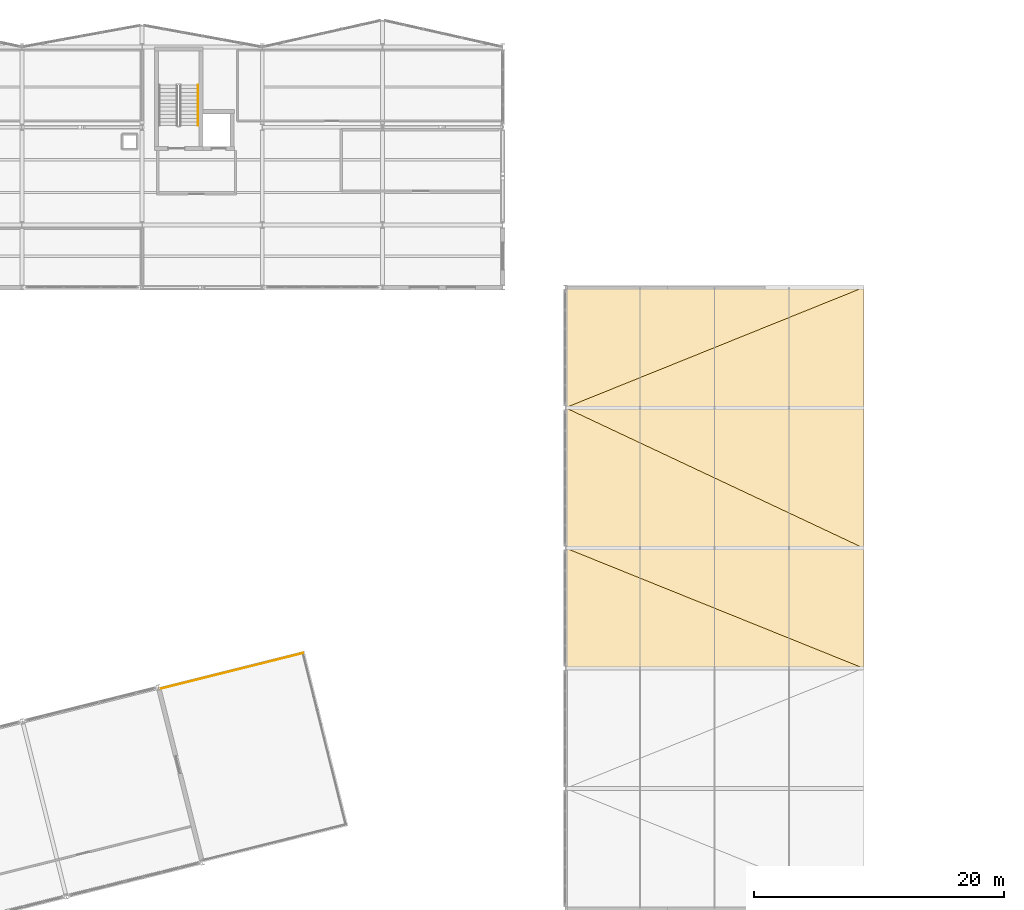
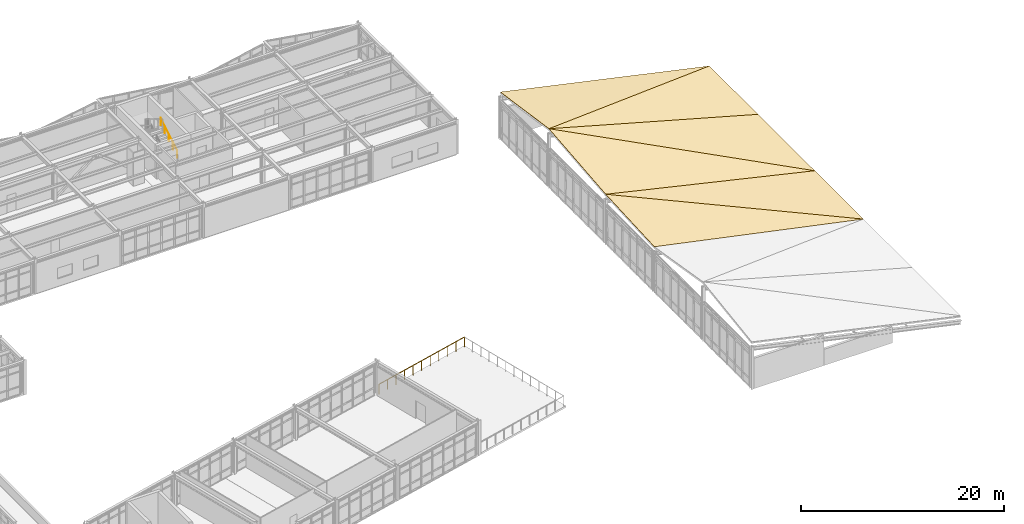
# One storey, part 64 of 64: 6 coverings, 2 railings.
"""IFC4 building model written with IfcOpenShell, lengths in metres."""

from ifc_helpers import new_model, si_unit, direction, frame, origin, origin_2d, place, context, subcontext, project, spatial, polyline, circle, outline, extrude, material, layer, layer_set, type_object, element, save


model = new_model("IFC4")

# Units and contexts
model_context = context("Model", 3, precision=1e-05, world=origin(), true_north=direction((0.0, 1.0)))
body_context = subcontext(model_context, "Body", "Model", "MODEL_VIEW")
ifc_project = project(units=[si_unit("LENGTHUNIT", "METRE"), si_unit("AREAUNIT", "SQUARE_METRE"), si_unit("VOLUMEUNIT", "CUBIC_METRE"), si_unit("PLANEANGLEUNIT", "RADIAN"), si_unit("MASSUNIT", "GRAM", prefix="KILO")], contexts=[model_context])

# Site, building, storey
site_placement = place(None, origin())
site = spatial("IfcSite", under=ifc_project, at=site_placement, CompositionType="ELEMENT")
building_placement = place(site_placement, origin())
building = spatial("IfcBuilding", under=site, at=building_placement, Name="Nordkorset Police Headquarters", CompositionType="ELEMENT")
storey_placement = place(building_placement, frame((0.0, 0.0, 17.85009765625)))
storey = spatial("IfcBuildingStorey", under=building, at=storey_placement, Name="L04", CompositionType="ELEMENT", Elevation=17.85009765625)

# Railings
ifc_material_1 = material(Name="Steel S355J2", Category="steel")
ifc_layer_1 = layer(ifc_material_1, 0.06005859375, Name="Steel S355J2")
ifc_layer_set_1 = layer_set([ifc_layer_1], Name="Steel S355J2")
railing_type_1 = type_object("IfcRailingType", Name="Guardrail_Terrace_1200", PredefinedType="GUARDRAIL", material=ifc_layer_set_1)
railing_1_placement = place(storey_placement, frame((70.44580078125, 68.39990234375, 0.0)))
element("IfcRailing", 1, at=railing_1_placement, inside=storey, type_object=railing_type_1, Name="Terrace Perimeter Guardrail TER-V4-L04-3", PredefinedType="GUARDRAIL", context=body_context, shape_type="SweptSolid", body=[
    extrude(circle(Radius=0.02392578125, at=origin_2d()), frame((0.0, 0.0, 1.17578125), z_axis=(-0.970143727571, -0.242530715281, 0.0), x_axis=(0.242530715281, -0.970143727571, 0.0)), (0.0, 0.0, 1.0), 11.7001953125),
    extrude(circle(Radius=0.02099609375, at=origin_2d()), origin(), (0.0, 0.0, 1.0), 1.15185546875),
    extrude(circle(Radius=0.02099609375, at=origin_2d()), frame((-1.135009765625, -0.28369140625, 0.0)), (0.0, 0.0, 1.0), 1.15185546875),
    extrude(circle(Radius=0.02099609375, at=origin_2d()), frame((-2.270263671875, -0.567626953125, 0.0)), (0.0, 0.0, 1.0), 1.15185546875),
    extrude(circle(Radius=0.02099609375, at=origin_2d()), frame((-3.4052734375, -0.851318359375, 0.0)), (0.0, 0.0, 1.0), 1.15185546875),
    extrude(circle(Radius=0.02099609375, at=origin_2d()), frame((-4.540283203125, -1.135009765625, 0.0)), (0.0, 0.0, 1.0), 1.15185546875),
    extrude(circle(Radius=0.02099609375, at=origin_2d()), frame((-5.67529296875, -1.4189453125, 0.0)), (0.0, 0.0, 1.0), 1.15185546875),
    extrude(circle(Radius=0.02099609375, at=origin_2d()), frame((-6.810546875, -1.70263671875, 0.0)), (0.0, 0.0, 1.0), 1.15185546875),
    extrude(circle(Radius=0.02099609375, at=origin_2d()), frame((-7.945556640625, -1.986328125, 0.0)), (0.0, 0.0, 1.0), 1.15185546875),
    extrude(circle(Radius=0.02099609375, at=origin_2d()), frame((-9.08056640625, -2.27001953125, 0.0)), (0.0, 0.0, 1.0), 1.15185546875),
    extrude(circle(Radius=0.02099609375, at=origin_2d()), frame((-10.2158203125, -2.553955078125, 0.0)), (0.0, 0.0, 1.0), 1.15185546875),
    extrude(circle(Radius=0.02099609375, at=origin_2d()), frame((-11.350830078125, -2.837646484375, 0.0)), (0.0, 0.0, 1.0), 1.15185546875),
])
ifc_material_2 = material(Name="Steel S355J2", Category="steel")
ifc_layer_2 = layer(ifc_material_2, 0.048095703125, Name="Steel S355J2")
ifc_layer_set_2 = layer_set([ifc_layer_2], Name="Steel S355J2")
railing_type_2 = type_object("IfcRailingType", Name="Railing_Handrail_900", PredefinedType="HANDRAIL", material=ifc_layer_set_2)
railing_2_placement = place(storey_placement, frame((62.074951171875, 110.52490234375, 0.1748046875)))
element("IfcRailing", 2, at=railing_2_placement, inside=storey, type_object=railing_type_2, Name="L04 ST-02 stair handrail 1", PredefinedType="HANDRAIL", context=body_context, shape_type="SweptSolid", body=[
    extrude(circle(Radius=0.02392578125, at=origin_2d()), frame((0.0, 0.0, 0.8759765625), z_axis=(0.0, 0.860057060016, 0.510197857224), x_axis=(-1.0, 0.0, 0.0)), (0.0, 0.0, 1.0), 3.773193359375),
    extrude(circle(Radius=0.02099609375, at=origin_2d()), origin(), (0.0, 0.0, 1.0), 0.851806640625),
    extrude(circle(Radius=0.02099609375, at=origin_2d()), frame((0.0, 0.811279296875, 0.481201171875)), (0.0, 0.0, 1.0), 0.851806640625),
    extrude(circle(Radius=0.02099609375, at=origin_2d()), frame((0.0, 1.62255859375, 0.96240234375)), (0.0, 0.0, 1.0), 0.851806640625),
    extrude(circle(Radius=0.02099609375, at=origin_2d()), frame((0.0, 2.433837890625, 1.44384765625)), (0.0, 0.0, 1.0), 0.851806640625),
    extrude(circle(Radius=0.02099609375, at=origin_2d()), frame((0.0, 3.2451171875, 1.925048828125)), (0.0, 0.0, 1.0), 0.851806640625),
])

# Coverings
ifc_material_3 = material(Name="Patinated Nordic zinc")
ifc_layer_3 = layer(ifc_material_3, 0.0400390625, Name="Patinated Nordic zinc")
ifc_layer_set_3 = layer_set([ifc_layer_3], Name="Patinated Nordic zinc")
covering_type = type_object("IfcCoveringType", Name="Roofing_StandingSeam_Zinc", PredefinedType="ROOFING", material=ifc_layer_set_3)
covering_1_placement = place(storey_placement, frame((91.39990234375, 67.199951171875, 5.429931640625), z_axis=(0.205329049476, -0.050904080129, 0.977368280674), x_axis=(0.978637037678, 0.0, -0.205595594519)))
element("IfcCovering", 3, at=covering_1_placement, inside=storey, type_object=covering_type, Name="Patinated Nordic Zinc Folded Roof Covering SLB-RF-V5-F2A", PredefinedType="ROOFING", context=body_context, shape_type="SweptSolid", body=[
    extrude(outline(polyline([(0.0, 0.0), (24.31958725433337, 0.0), (-0.10279779725926635, 9.612559889145833), (0.0, 0.0)])), origin(), (0.0, 0.0, -1.0), 0.0400390625),
])
covering_2_placement = place(storey_placement, frame((115.199951171875, 67.199951171875, 0.429931640625), z_axis=(0.225158042301, 0.0, 0.974322254692), x_axis=(0.0, 1.0, 0.0)))
element("IfcCovering", 4, at=covering_2_placement, inside=storey, type_object=covering_type, Name="Patinated Nordic Zinc Folded Roof Covering SLB-RF-V5-F2B", PredefinedType="ROOFING", context=body_context, shape_type="SweptSolid", body=[
    extrude(outline(polyline([(0.0, 0.0), (9.60009765625, 0.0), (9.60009765625, 24.427286468642688), (0.0, 0.0)])), origin(), (0.0, 0.0, -1.0), 0.0400390625),
])
covering_3_placement = place(storey_placement, frame((91.39990234375, 76.800048828125, 5.929931640625), z_axis=(0.224134441253, -0.095245063006, 0.969892844709), x_axis=(0.974322254692, 0.0, -0.225158042301)))
element("IfcCovering", 5, at=covering_3_placement, inside=storey, type_object=covering_type, Name="Patinated Nordic Zinc Folded Roof Covering SLB-RF-V5-F3A", PredefinedType="ROOFING", context=body_context, shape_type="SweptSolid", body=[
    extrude(outline(polyline([(0.0, 0.0), (24.427286468642688, 0.0), (-0.24764086439575891, 11.25110030221481), (0.0, 0.0)])), origin(), (0.0, 0.0, -1.0), 0.0400390625),
])
covering_4_placement = place(storey_placement, frame((115.199951171875, 76.800048828125, 0.429931640625), z_axis=(0.267220172415, 0.0, 0.963635501346), x_axis=(0.0, 1.0, 0.0)))
element("IfcCovering", 6, at=covering_4_placement, inside=storey, type_object=covering_type, Name="Patinated Nordic Zinc Folded Roof Covering SLB-RF-V5-F3B", PredefinedType="ROOFING", context=body_context, shape_type="SweptSolid", body=[
    extrude(outline(polyline([(0.0, 0.0), (11.199951171875, 0.0), (11.199951171875, 24.698185978910313), (0.0, 0.0)])), origin(), (0.0, 0.0, -1.0), 0.0400390625),
])
covering_5_placement = place(storey_placement, frame((91.39990234375, 88.0, 7.02978515625), z_axis=(0.267220172415, 0.0, 0.963635501346), x_axis=(0.963635501346, 0.0, -0.267220172415)))
element("IfcCovering", 7, at=covering_5_placement, inside=storey, type_object=covering_type, Name="Patinated Nordic Zinc Folded Roof Covering SLB-RF-V5-F4A", PredefinedType="ROOFING", context=body_context, shape_type="SweptSolid", body=[
    extrude(outline(polyline([(0.0, 0.0), (24.698185978910313, 0.0), (24.698185978910313, 9.600097656250002), (0.0, 0.0)])), origin(), (0.0, 0.0, -1.0), 0.0400390625),
])
covering_6_placement = place(storey_placement, frame((91.39990234375, 88.0, 7.02978515625), z_axis=(0.211316127776, 0.141037082701, 0.967188727935), x_axis=(0.89817115757, 0.362290467846, -0.249066634893)))
element("IfcCovering", 8, at=covering_6_placement, inside=storey, type_object=covering_type, Name="Patinated Nordic Zinc Folded Roof Covering SLB-RF-V5-F4B", PredefinedType="ROOFING", context=body_context, shape_type="SweptSolid", body=[
    extrude(outline(polyline([(0.0, 0.0), (26.49834458335801, 5.551115123125783e-17), (3.8266928371876734, 8.915044784598114), (0.0, 0.0)])), origin(), (0.0, 0.0, -1.0), 0.0400390625),
])

save(model, "model.ifc")
